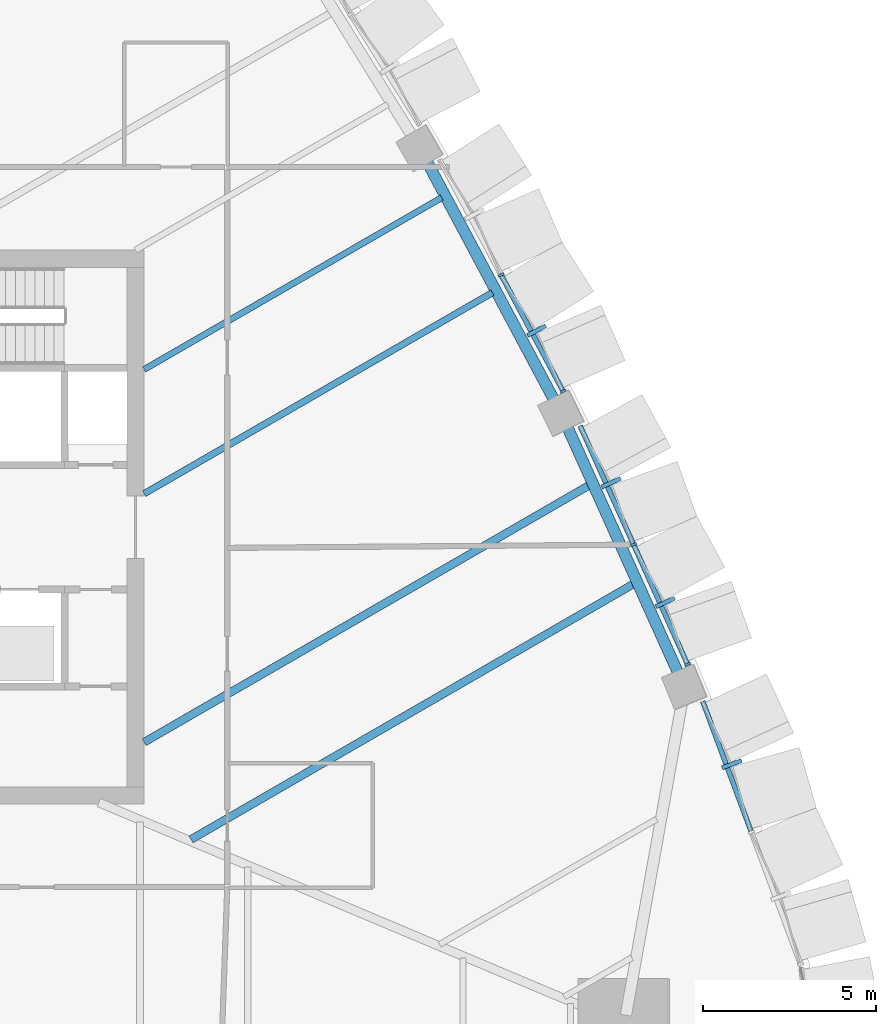
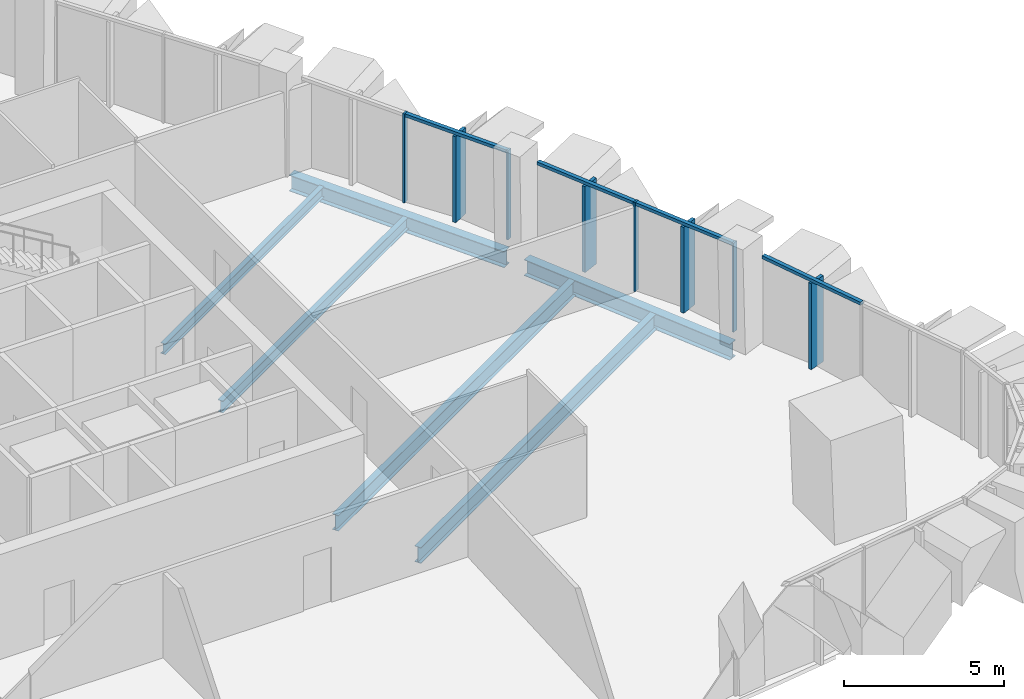
# One storey, part 5 of 18: 12 members, 6 beams, 3 elements without a shape of their own.
"""IFC4 building model written with IfcOpenShell, lengths in metres."""

from ifc_helpers import new_model, si_unit, direction, frame, origin, origin_2d, place, context, subcontext, project, spatial, rectangle, i_section, extrude, material, layer, layer_set, material_profile, profile_set, type_object, element, aggregate, save


model = new_model("IFC4")

# Units and contexts
model_context = context("Model", 3, precision=1e-05, world=origin(), true_north=direction((0.0, 1.0)))
body_context = subcontext(model_context, "Body", "Model", "MODEL_VIEW")
ifc_project = project(units=[si_unit("LENGTHUNIT", "METRE"), si_unit("AREAUNIT", "SQUARE_METRE"), si_unit("VOLUMEUNIT", "CUBIC_METRE"), si_unit("PLANEANGLEUNIT", "RADIAN"), si_unit("MASSUNIT", "GRAM", prefix="KILO")], contexts=[model_context])

# Site, building, storey
site_placement = place(None, origin())
site = spatial("IfcSite", under=ifc_project, at=site_placement, CompositionType="ELEMENT")
building_placement = place(site_placement, origin())
building = spatial("IfcBuilding", under=site, at=building_placement, Name="Sierra Prisma Convention Tower", CompositionType="ELEMENT")
storey_placement = place(building_placement, frame((0.0, 0.0, 133.800048828125)))
storey = spatial("IfcBuildingStorey", under=building, at=storey_placement, Name="L28", CompositionType="ELEMENT", Elevation=133.800048828125)

# Curtain wall, member
ifc_material_1 = material(Name="Aluminium and glass curtain wall", Category="aluminium")
ifc_layer = layer(ifc_material_1, 0.179931640625)
ifc_layer_set = layer_set([ifc_layer], Name="CW-2 Faceted crystal curtain wall")
curtain_wall_type = type_object("IfcCurtainWallType", Name="CW-2 Faceted crystal curtain wall", PredefinedType="NOTDEFINED", material=ifc_layer_set)
curtain_wall_1_placement = place(storey_placement, origin())
curtain_wall_1 = element("IfcCurtainWall", 1, at=curtain_wall_1_placement, inside=storey, type_object=curtain_wall_type, Name="CW-2 NE1 L28", PredefinedType="NOTDEFINED")
ifc_material_2 = material(Name="Aluminium 6063-T6 bronze anodised", Category="aluminium")
ifc_material_profile_1 = material_profile(ifc_material_2, rectangle(XDim=0.1201171875, YDim=0.60009765625, at=origin_2d()), Name="ALU RIDGE BLADE 120x600")
ifc_profile_set_1 = profile_set([ifc_material_profile_1], Name="Aluminium 6063-T6 bronze anodised")
member_type_1 = type_object("IfcMemberType", Name="CW hip bronze", PredefinedType="MULLION", material=ifc_profile_set_1)
member_1_placement = place(storey_placement, frame((27.979248046875, -6.84765625, 0.0), z_axis=(0.0, 0.0, 1.0), x_axis=(-0.348702355262, 0.937233518092, 0.0)))
member_1 = element("IfcMember", 2, at=member_1_placement, type_object=member_type_1, Name="CW-2 ridge NE1.2", PredefinedType="MULLION", context=body_context, shape_type="SweptSolid", body=[
    extrude(rectangle(XDim=0.1201171875, YDim=0.60009765625, at=origin_2d()), origin(), (0.0, 0.0, 1.0), 3.280029296875),
])

# Curtain wall, members
curtain_wall_2_placement = place(storey_placement, origin())
curtain_wall_2 = element("IfcCurtainWall", 3, at=curtain_wall_2_placement, inside=storey, type_object=curtain_wall_type, Name="CW-2 NE2 L28", PredefinedType="NOTDEFINED")
member_2_placement = place(storey_placement, frame((26.052734375, -2.176025390625, 0.0), z_axis=(0.0, 0.0, 1.0), x_axis=(-0.410635776362, 0.911799462147, 0.0)))
member_2 = element("IfcMember", 4, at=member_2_placement, type_object=member_type_1, Name="CW-2 ridge NE2.1", PredefinedType="MULLION", context=body_context, shape_type="SweptSolid", body=[
    extrude(rectangle(XDim=0.1201171875, YDim=0.60009765625, at=origin_2d()), origin(), (0.0, 0.0, 1.0), 3.280029296875),
])
member_3_placement = place(storey_placement, frame((24.494140625, 1.284423828125, 0.0), z_axis=(0.0, 0.0, 1.0), x_axis=(-0.410635776362, 0.911799462147, 0.0)))
member_3 = element("IfcMember", 5, at=member_3_placement, type_object=member_type_1, Name="CW-2 ridge NE2.2", PredefinedType="MULLION", context=body_context, shape_type="SweptSolid", body=[
    extrude(rectangle(XDim=0.1201171875, YDim=0.60009765625, at=origin_2d()), origin(), (0.0, 0.0, 1.0), 3.280029296875),
])

# Curtain wall, member
curtain_wall_3_placement = place(storey_placement, origin())
curtain_wall_3 = element("IfcCurtainWall", 6, at=curtain_wall_3_placement, inside=storey, type_object=curtain_wall_type, Name="CW-2 NE3 L28", PredefinedType="NOTDEFINED")
member_4_placement = place(storey_placement, frame((22.3369140625, 5.67578125, 0.0), z_axis=(0.0, 0.0, 1.0), x_axis=(-0.470728465167, 0.882278137597, 0.0)))
member_4 = element("IfcMember", 7, at=member_4_placement, type_object=member_type_1, Name="CW-2 ridge NE3.1", PredefinedType="MULLION", context=body_context, shape_type="SweptSolid", body=[
    extrude(rectangle(XDim=0.1201171875, YDim=0.60009765625, at=origin_2d()), origin(), (0.0, 0.0, 1.0), 3.280029296875),
])

# Member
ifc_material_3 = material(Name="Aluminium 6063-T6 bronze anodised", Category="aluminium")
ifc_material_profile_2 = material_profile(ifc_material_3, rectangle(XDim=0.179931640625, YDim=0.070068359375, at=origin_2d()), Name="ALU MULLION 70x180")
ifc_profile_set_2 = profile_set([ifc_material_profile_2], Name="Aluminium 6063-T6 bronze anodised")
member_type_2 = type_object("IfcMemberType", Name="CW mullion bronze", PredefinedType="MULLION", material=ifc_profile_set_2)
member_5_placement = place(storey_placement, frame((26.6982421875, -3.96630859375, 0.0), z_axis=(0.0, 0.0, 1.0), x_axis=(-0.911799462147, -0.410635776362, 0.0)))
member_5 = element("IfcMember", 8, at=member_5_placement, type_object=member_type_2, Name="CW-1 mullion NE2.1", PredefinedType="MULLION", context=body_context, shape_type="SweptSolid", body=[
    extrude(rectangle(XDim=0.179931640625, YDim=0.070068359375, at=origin_2d()), origin(), (0.0, 0.0, 1.0), 3.39990234375),
])

member_6_placement = place(storey_placement, frame((25.139892578125, -0.506103515625, 0.0), z_axis=(0.0, 0.0, 1.0), x_axis=(-0.911799462147, -0.410635776362, 0.0)))
member_6 = element("IfcMember", 9, at=member_6_placement, type_object=member_type_2, Name="CW-1 mullion NE2.2", PredefinedType="MULLION", context=body_context, shape_type="SweptSolid", body=[
    extrude(rectangle(XDim=0.179931640625, YDim=0.070068359375, at=origin_2d()), origin(), (0.0, 0.0, 1.0), 3.39990234375),
])

member_7_placement = place(storey_placement, frame((23.10400390625, 3.925048828125, 0.0), z_axis=(0.0, 0.0, 1.0), x_axis=(-0.882278137597, -0.470728465167, 0.0)))
member_7 = element("IfcMember", 10, at=member_7_placement, type_object=member_type_2, Name="CW-1 mullion NE3.1", PredefinedType="MULLION", context=body_context, shape_type="SweptSolid", body=[
    extrude(rectangle(XDim=0.179931640625, YDim=0.070068359375, at=origin_2d()), origin(), (0.0, 0.0, 1.0), 3.39990234375),
])

member_8_placement = place(storey_placement, frame((21.31005859375, 7.28759765625, 0.0), z_axis=(0.0, 0.0, 1.0), x_axis=(-0.882278137597, -0.470728465167, 0.0)))
member_8 = element("IfcMember", 11, at=member_8_placement, type_object=member_type_2, Name="CW-1 mullion NE3.2", PredefinedType="MULLION", context=body_context, shape_type="SweptSolid", body=[
    extrude(rectangle(XDim=0.179931640625, YDim=0.070068359375, at=origin_2d()), origin(), (0.0, 0.0, 1.0), 3.39990234375),
])

ifc_material_4 = material(Name="Aluminium 6063-T6 bronze anodised", Category="aluminium")
ifc_material_profile_3 = material_profile(ifc_material_4, rectangle(XDim=0.139892578125, YDim=0.1201171875, at=origin_2d()), Name="ALU TRANSOM 120x140")
ifc_profile_set_3 = profile_set([ifc_material_profile_3], Name="Aluminium 6063-T6 bronze anodised")
member_type_3 = type_object("IfcMemberType", Name="CW transom bronze", PredefinedType="USERDEFINED", material=ifc_profile_set_3)
member_9_placement = place(storey_placement, frame((28.52880859375, -8.775634765625, 3.33984375), z_axis=(-0.348672579057, 0.937244595937, 0.0), x_axis=(-0.937244595937, -0.348672579057, 0.0)))
member_9 = element("IfcMember", 12, at=member_9_placement, type_object=member_type_3, Name="CW-1 transom NE1.2", ObjectType="TRANSOM", PredefinedType="USERDEFINED", context=body_context, shape_type="SweptSolid", body=[
    extrude(rectangle(XDim=0.139892578125, YDim=0.1201171875, at=origin_2d()), origin(), (0.0, 0.0, 1.0), 3.99755859375),
])

aggregate(curtain_wall_1, [member_9, member_1])

member_10_placement = place(storey_placement, frame((26.683837890625, -3.9345703125, 3.33984375), z_axis=(-0.410669869005, 0.911784107501, 0.0), x_axis=(-0.911784107501, -0.410669869005, 0.0)))
member_10 = element("IfcMember", 13, at=member_10_placement, type_object=member_type_3, Name="CW-1 transom NE2.1", ObjectType="TRANSOM", PredefinedType="USERDEFINED", context=body_context, shape_type="SweptSolid", body=[
    extrude(rectangle(XDim=0.139892578125, YDim=0.1201171875, at=origin_2d()), origin(), (0.0, 0.0, 1.0), 3.72509765625),
])

member_11_placement = place(storey_placement, frame((25.12548828125, -0.47412109375, 3.33984375), z_axis=(-0.410669869005, 0.911784107501, 0.0), x_axis=(-0.911784107501, -0.410669869005, 0.0)))
member_11 = element("IfcMember", 14, at=member_11_placement, type_object=member_type_3, Name="CW-1 transom NE2.2", ObjectType="TRANSOM", PredefinedType="USERDEFINED", context=body_context, shape_type="SweptSolid", body=[
    extrude(rectangle(XDim=0.139892578125, YDim=0.1201171875, at=origin_2d()), origin(), (0.0, 0.0, 1.0), 3.72509765625),
])

aggregate(curtain_wall_2, [member_5, member_6, member_10, member_2, member_11, member_3])

member_12_placement = place(storey_placement, frame((23.08740234375, 3.9560546875, 3.33984375), z_axis=(-0.470706779525, 0.882289707358, 0.0), x_axis=(-0.882289707358, -0.470706779525, 0.0)))
member_12 = element("IfcMember", 15, at=member_12_placement, type_object=member_type_3, Name="CW-1 transom NE3.1", ObjectType="TRANSOM", PredefinedType="USERDEFINED", context=body_context, shape_type="SweptSolid", body=[
    extrude(rectangle(XDim=0.139892578125, YDim=0.1201171875, at=origin_2d()), origin(), (0.0, 0.0, 1.0), 3.7412109375),
])

aggregate(curtain_wall_3, [member_7, member_8, member_12, member_4])

# Beams
ifc_material_5 = material(Name="Steel ASTM A992 Gr 50", Category="steel")
ifc_material_profile_4 = material_profile(ifc_material_5, i_section(OverallWidth=0.177978515625, OverallDepth=0.406982421875, WebThickness=0.0078125, FlangeThickness=0.0126953125, at=origin_2d()), Name="W410x60")
ifc_profile_set_4 = profile_set([ifc_material_profile_4], Name="Steel ASTM A992 Gr 50")
beam_type_1 = type_object("IfcBeamType", Name="Floor joist W410x60", PredefinedType="JOIST", material=ifc_profile_set_4)
beam_1_placement = place(storey_placement, frame((19.595703125, 9.5185546875, -0.353515625), z_axis=(-0.866029113277, -0.499993574915, 0.0), x_axis=(0.499993574915, -0.866029113277, 0.0)))
element("IfcBeam", 16, at=beam_1_placement, inside=storey, type_object=beam_type_1, Name="Floor joist L28 NE08", PredefinedType="JOIST", context=body_context, shape_type="SweptSolid", body=[
    extrude(i_section(OverallWidth=0.177978515625, OverallDepth=0.406982421875, WebThickness=0.0078125, FlangeThickness=0.0126953125, at=origin_2d()), origin(), (0.0, 0.0, 1.0), 9.925537109375),
])
ifc_material_6 = material(Name="Steel ASTM A992 Gr 50", Category="steel")
ifc_material_profile_5 = material_profile(ifc_material_6, i_section(OverallWidth=0.18994140625, OverallDepth=0.45703125, WebThickness=0.009033203125, FlangeThickness=0.014404296875, at=origin_2d()), Name="W460x74")
ifc_profile_set_5 = profile_set([ifc_material_profile_5], Name="Steel ASTM A992 Gr 50")
beam_type_2 = type_object("IfcBeamType", Name="Floor joist W460x74", PredefinedType="JOIST", material=ifc_profile_set_5)
beam_2_placement = place(storey_placement, frame((21.059814453125, 6.774169921875, -0.378662109375), z_axis=(-0.866031936723, -0.499988684448, 0.0), x_axis=(0.499988684448, -0.866031936723, 0.0)))
element("IfcBeam", 17, at=beam_2_placement, inside=storey, type_object=beam_type_2, Name="Floor joist L28 NE07", PredefinedType="JOIST", context=body_context, shape_type="SweptSolid", body=[
    extrude(i_section(OverallWidth=0.18994140625, OverallDepth=0.45703125, WebThickness=0.009033203125, FlangeThickness=0.014404296875, at=origin_2d()), origin(), (0.0, 0.0, 1.0), 11.615966796875),
])
ifc_material_7 = material(Name="Steel ASTM A992 Gr 50", Category="steel")
ifc_material_profile_6 = material_profile(ifc_material_7, i_section(OverallWidth=0.22802734375, OverallDepth=0.60302734375, WebThickness=0.010498046875, FlangeThickness=0.014892578125, at=origin_2d()), Name="W610x101")
ifc_profile_set_6 = profile_set([ifc_material_profile_6], Name="Steel ASTM A992 Gr 50")
beam_type_3 = type_object("IfcBeamType", Name="Floor joist W610x101", PredefinedType="JOIST", material=ifc_profile_set_6)
beam_3_placement = place(storey_placement, frame((25.142333984375, -1.637939453125, -0.45166015625), z_axis=(-0.866025913475, -0.499999117189, 0.0), x_axis=(0.499999117189, -0.866025913475, 0.0)))
element("IfcBeam", 18, at=beam_3_placement, inside=storey, type_object=beam_type_3, Name="Floor joist L28 NE04", PredefinedType="JOIST", context=body_context, shape_type="SweptSolid", body=[
    extrude(i_section(OverallWidth=0.22802734375, OverallDepth=0.60302734375, WebThickness=0.010498046875, FlangeThickness=0.014892578125, at=origin_2d()), origin(), (0.0, 0.0, 1.0), 14.76806640625),
])
beam_4_placement = place(storey_placement, frame((23.859375, 1.2109375, -0.45166015625), z_axis=(-0.86602678055, -0.499997615365, 0.0), x_axis=(0.499997615365, -0.86602678055, 0.0)))
element("IfcBeam", 19, at=beam_4_placement, inside=storey, type_object=beam_type_3, Name="Floor joist L28 NE05", PredefinedType="JOIST", context=body_context, shape_type="SweptSolid", body=[
    extrude(i_section(OverallWidth=0.22802734375, OverallDepth=0.60302734375, WebThickness=0.010498046875, FlangeThickness=0.014892578125, at=origin_2d()), origin(), (0.0, 0.0, 1.0), 14.8486328125),
])
ifc_material_8 = material(Name="Steel ASTM A992 Gr 50", Category="steel")
ifc_material_profile_7 = material_profile(ifc_material_8, i_section(OverallWidth=0.324951171875, OverallDepth=0.615966796875, WebThickness=0.013916015625, FlangeThickness=0.021484375, at=origin_2d()), Name="W610x174")
ifc_profile_set_7 = profile_set([ifc_material_profile_7], Name="Steel ASTM A992 Gr 50")
beam_type_4 = type_object("IfcBeamType", Name="Spandrel beam W610x174", PredefinedType="BEAM", material=ifc_profile_set_7)
for number, where, z_axis, x_axis, name in (
    (20, (26.456298828125, -4.28125, -0.4580078125), (-0.410612007979, 0.911810166045, 0.0), (-0.911810166045, -0.410612007979, 0.0), "Spandrel L28-08"),
    (21, (22.86865234375, 3.623291015625, -0.4580078125), (-0.47075300515, 0.882265044157, 0.0), (-0.882265044157, -0.47075300515, 0.0), "Spandrel L28-09"),
):
    element("IfcBeam", number, at=place(storey_placement, frame(where, z_axis=z_axis, x_axis=x_axis)), inside=storey, type_object=beam_type_4, Name=name, PredefinedType="BEAM", context=body_context, shape_type="SweptSolid", body=[
        extrude(i_section(OverallWidth=0.324951171875, OverallDepth=0.615966796875, WebThickness=0.013916015625, FlangeThickness=0.021484375, at=origin_2d()), origin(), (0.0, 0.0, 1.0), 7.9208984375),
    ])

save(model, "model.ifc")
